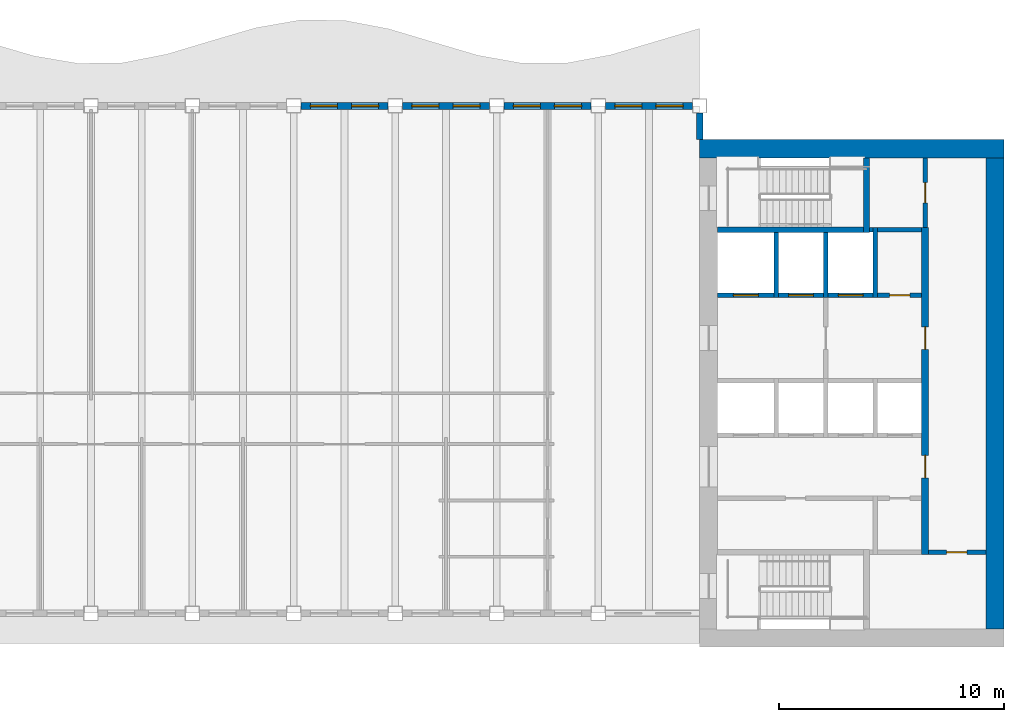
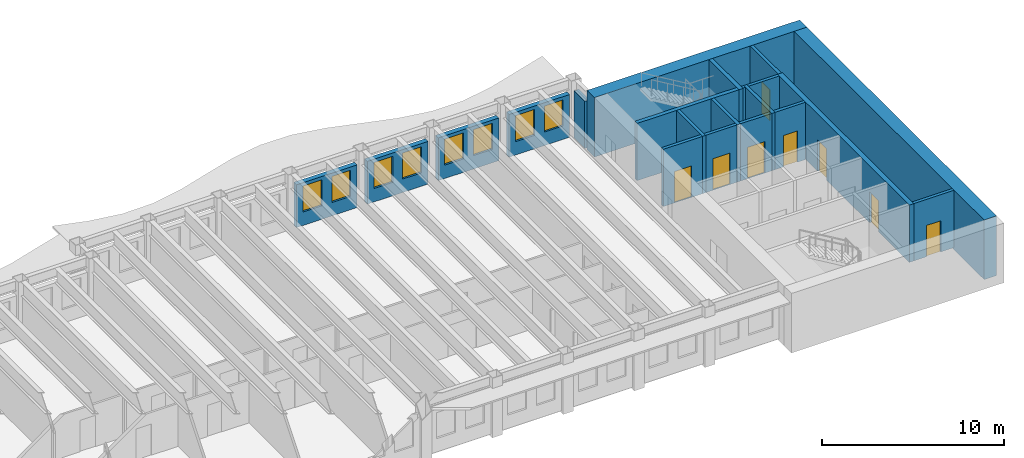
# One storey, part 6 of 12: 21 walls, 8 doors, 8 windows, 16 openings.
"""IFC4 building model written with IfcOpenShell, lengths in metres."""

from ifc_helpers import new_model, si_unit, direction, frame, frame_2d, origin, place, context, subcontext, project, spatial, rectangle, extrude, material, layer, layer_set, type_object, element, fill, save


model = new_model("IFC4")

# Units and contexts
model_context = context("Model", 3, precision=1e-05, world=origin(), true_north=direction((0.0, 1.0)))
body_context = subcontext(model_context, "Body", "Model", "MODEL_VIEW")
ifc_project = project(units=[si_unit("LENGTHUNIT", "METRE"), si_unit("AREAUNIT", "SQUARE_METRE"), si_unit("VOLUMEUNIT", "CUBIC_METRE"), si_unit("PLANEANGLEUNIT", "RADIAN"), si_unit("MASSUNIT", "GRAM", prefix="KILO")], contexts=[model_context])

# Site, building, storey
site_placement = place(None, origin())
site = spatial("IfcSite", under=ifc_project, at=site_placement, CompositionType="ELEMENT")
building_placement = place(site_placement, origin())
building = spatial("IfcBuilding", under=site, at=building_placement, Name="Sennacour Bend Tower", CompositionType="ELEMENT")
storey_placement = place(building_placement, frame((0.0, 0.0, 289.0)))
storey = spatial("IfcBuildingStorey", under=building, at=storey_placement, Name="L67", CompositionType="ELEMENT", Elevation=289.0)

# Walls
ifc_material_1 = material(Name="Concrete C50/60", Category="concrete")
ifc_layer_1 = layer(ifc_material_1, 0.800048828125, Name="Concrete C50/60", Category="concrete")
ifc_layer_set_1 = layer_set([ifc_layer_1], Name="Concrete C50/60")
wall_type_1 = type_object("IfcWallType", Name="Core wall 800 C50/60", PredefinedType="SHEAR", material=ifc_layer_set_1)
wall_1_placement = place(storey_placement, frame((54.0, 22.10009765625, -0.14990234375), z_axis=(0.0, 0.0, 1.0), x_axis=(1.0, 0.0, 0.0)))
element("IfcWall", 1, at=wall_1_placement, inside=storey, type_object=wall_type_1, Name="Core A wall L67 N", PredefinedType="SHEAR", context=body_context, shape_type="SweptSolid", body=[
    extrude(rectangle(XDim=13.5, YDim=0.800048828125, at=frame_2d((6.75, 0.0))), origin(), (0.0, 0.0, 1.0), 4.0),
])
wall_2_placement = place(storey_placement, frame((67.10009765625, 0.800048828125, -0.14990234375), z_axis=(0.0, 0.0, 1.0), x_axis=(0.0, 1.0, 0.0)))
element("IfcWall", 2, at=wall_2_placement, inside=storey, type_object=wall_type_1, Name="Core A wall L67 E", PredefinedType="SHEAR", context=body_context, shape_type="SweptSolid", body=[
    extrude(rectangle(XDim=20.89990234375, YDim=0.800048828125, at=frame_2d((10.449951171875, 0.0))), origin(), (0.0, 0.0, 1.0), 4.0),
])

# Wall, opening, door
ifc_material_2 = material(Name="Fire-rated plasterboard partition on steel studs", Category="steel")
ifc_layer_2 = layer(ifc_material_2, 0.199951171875, Name="Fire-rated plasterboard partition on steel studs", Category="steel")
ifc_layer_set_2 = layer_set([ifc_layer_2], Name="Fire-rated plasterboard partition on steel studs")
wall_type_2 = type_object("IfcWallType", Name="Rated partition 200", PredefinedType="PARTITIONING", material=ifc_layer_set_2)
wall_3_placement = place(storey_placement, frame((64.0, 18.60009765625, 0.0), z_axis=(0.0, 0.0, 1.0), x_axis=(0.0, 1.0, 0.0)))
wall_3 = element("IfcWall", 3, at=wall_3_placement, inside=storey, type_object=wall_type_2, Name="P-L67-W029", PredefinedType="PARTITIONING", context=body_context, shape_type="SweptSolid", body=[
    extrude(rectangle(XDim=3.099853515625, YDim=0.199951171875, at=frame_2d((1.5498046875, 0.0))), origin(), (0.0, 0.0, 1.0), 3.85009765625),
])
opening_1_placement = place(wall_3_placement, frame((1.099853515625, 0.0, 0.0)))
opening_1 = element("IfcOpeningElement", 4, at=opening_1_placement, cuts=wall_3, Name="Opening SV", PredefinedType="OPENING", context=body_context, shape_type="SweptSolid", body=[
    extrude(rectangle(XDim=0.89990234375, YDim=2.10009765625, at=frame_2d((0.449951171875, 1.050048828125))), frame((0.0, 0.10986328125, 0.0), z_axis=(0.0, -1.0, 0.0), x_axis=(1.0, 0.0, 0.0)), (0.0, 0.0, 1.0), 0.219970703125),
])
ifc_material_3 = material(Name="Painted steel", Category="steel")
door_type_1 = type_object("IfcDoorType", Name="DR-SERVICE-900", OperationType="NOTDEFINED", PredefinedType="DOOR", material=ifc_material_3)
door_1_placement = place(opening_1_placement, origin())
door_1 = element("IfcDoor", 5, at=door_1_placement, inside=storey, type_object=door_type_1, Name="Door", OperationType="SINGLE_SWING_LEFT", OverallHeight=2.10009765625, OverallWidth=0.89990234375, PredefinedType="DOOR", context=body_context, shape_type="SweptSolid", body=[
    extrude(rectangle(XDim=0.89990234375, YDim=2.10009765625, at=frame_2d((0.449951171875, 1.050048828125))), frame((0.0, 0.02490234375, 0.0), z_axis=(0.0, -1.0, 0.0), x_axis=(1.0, 0.0, 0.0)), (0.0, 0.0, 1.0), 0.050048828125),
])
fill(opening_1, door_1)

wall_4_placement = place(storey_placement, frame((64.14990234375, 4.199951171875, 0.0), z_axis=(0.0, 0.0, 1.0), x_axis=(1.0, 0.0, 0.0)))
wall_4 = element("IfcWall", 6, at=wall_4_placement, inside=storey, type_object=wall_type_2, Name="P-L67-W038c", PredefinedType="PARTITIONING", context=body_context, shape_type="SweptSolid", body=[
    extrude(rectangle(XDim=2.550048828125, YDim=0.199951171875, at=frame_2d((1.27490234375, 0.0))), origin(), (0.0, 0.0, 1.0), 3.85009765625),
])
opening_2_placement = place(wall_4_placement, frame((0.800048828125, 0.0, 0.0)))
opening_2 = element("IfcOpeningElement", 7, at=opening_2_placement, cuts=wall_4, Name="Opening SV", PredefinedType="OPENING", context=body_context, shape_type="SweptSolid", body=[
    extrude(rectangle(XDim=0.89990234375, YDim=2.10009765625, at=frame_2d((0.449951171875, 1.050048828125))), frame((0.0, 0.10986328125, 0.0), z_axis=(0.0, -1.0, 0.0), x_axis=(1.0, 0.0, 0.0)), (0.0, 0.0, 1.0), 0.219970703125),
])
door_2_placement = place(opening_2_placement, origin())
door_2 = element("IfcDoor", 8, at=door_2_placement, inside=storey, type_object=door_type_1, Name="Door", OperationType="SINGLE_SWING_LEFT", OverallHeight=2.10009765625, OverallWidth=0.89990234375, PredefinedType="DOOR", context=body_context, shape_type="SweptSolid", body=[
    extrude(rectangle(XDim=0.89990234375, YDim=2.10009765625, at=frame_2d((0.449951171875, 1.050048828125))), frame((0.0, 0.02490234375, 0.0), z_axis=(0.0, -1.0, 0.0), x_axis=(1.0, 0.0, 0.0)), (0.0, 0.0, 1.0), 0.050048828125),
])
fill(opening_2, door_2)

wall_5_placement = place(storey_placement, frame((61.89990234375, 15.60009765625, 0.0), z_axis=(0.0, 0.0, 1.0), x_axis=(1.0, 0.0, 0.0)))
wall_5 = element("IfcWall", 9, at=wall_5_placement, inside=storey, type_object=wall_type_2, Name="P-L67-W046", PredefinedType="PARTITIONING", context=body_context, shape_type="SweptSolid", body=[
    extrude(rectangle(XDim=1.9501953125, YDim=0.199951171875, at=frame_2d((0.97509765625, 0.0))), origin(), (0.0, 0.0, 1.0), 3.85009765625),
])
opening_3_placement = place(wall_5_placement, frame((0.525146484375, 0.0, 0.0)))
opening_3 = element("IfcOpeningElement", 10, at=opening_3_placement, cuts=wall_5, Name="Opening SV", PredefinedType="OPENING", context=body_context, shape_type="SweptSolid", body=[
    extrude(rectangle(XDim=0.89990234375, YDim=2.10009765625, at=frame_2d((0.449951171875, 1.050048828125))), frame((0.0, 0.10986328125, 0.0), z_axis=(0.0, -1.0, 0.0), x_axis=(1.0, 0.0, 0.0)), (0.0, 0.0, 1.0), 0.219970703125),
])
door_3_placement = place(opening_3_placement, origin())
door_3 = element("IfcDoor", 11, at=door_3_placement, inside=storey, type_object=door_type_1, Name="Door", OperationType="SINGLE_SWING_LEFT", OverallHeight=2.10009765625, OverallWidth=0.89990234375, PredefinedType="DOOR", context=body_context, shape_type="SweptSolid", body=[
    extrude(rectangle(XDim=0.89990234375, YDim=2.10009765625, at=frame_2d((0.449951171875, 1.050048828125))), frame((0.0, 0.02490234375, 0.0), z_axis=(0.0, -1.0, 0.0), x_axis=(1.0, 0.0, 0.0)), (0.0, 0.0, 1.0), 0.050048828125),
])
fill(opening_3, door_3)

# Walls
wall_6_placement = place(storey_placement, frame((61.89990234375, 18.5, 0.0), z_axis=(0.0, 0.0, 1.0), x_axis=(1.0, 0.0, 0.0)))
element("IfcWall", 12, at=wall_6_placement, inside=storey, type_object=wall_type_2, Name="P-L67-W049", PredefinedType="PARTITIONING", context=body_context, shape_type="SweptSolid", body=[
    extrude(rectangle(XDim=1.9501953125, YDim=0.199951171875, at=frame_2d((0.97509765625, 0.0))), origin(), (0.0, 0.0, 1.0), 3.85009765625),
])
ifc_material_4 = material(Name="Warm limestone cladding", Category="masonry")
ifc_layer_3 = layer(ifc_material_4, 0.050048828125, Name="Warm limestone cladding", Category="masonry")
ifc_material_5 = material(Name="Precast concrete C40/50", Category="concrete")
ifc_layer_4 = layer(ifc_material_5, 0.25, Name="Precast concrete C40/50", Category="concrete")
ifc_layer_set_3 = layer_set([ifc_layer_3, ifc_layer_4], Name="Precast concrete C40/50 with limestone cladding")
wall_type_3 = type_object("IfcWallType", Name="STONE-CLAD PRECAST SPANDREL 300", PredefinedType="STANDARD", material=ifc_layer_set_3)
wall_7_placement = place(storey_placement, frame((54.0, 22.5, 0.0), z_axis=(0.0, 0.0, 1.0), x_axis=(0.0, 1.0, 0.0)))
element("IfcWall", 13, at=wall_7_placement, inside=storey, type_object=wall_type_3, Name="Stone spandrel and pier wall L67 06.00", PredefinedType="STANDARD", context=body_context, shape_type="SweptSolid", body=[
    extrude(rectangle(XDim=1.175048828125, YDim=0.300048828125, at=frame_2d((0.58740234375, 0.0))), origin(), (0.0, 0.0, 1.0), 3.162109375),
])

# Wall, openings, windows
wall_8_placement = place(storey_placement, frame((53.675048828125, 24.0, 0.0), z_axis=(0.0, 0.0, 1.0), x_axis=(-1.0, 0.0, 0.0)))
wall_8 = element("IfcWall", 14, at=wall_8_placement, inside=storey, type_object=wall_type_3, Name="Stone spandrel and pier wall L67 07.00", PredefinedType="STANDARD", context=body_context, shape_type="SweptSolid", body=[
    extrude(rectangle(XDim=3.85009765625, YDim=0.300048828125, at=frame_2d((1.925048828125, 0.0))), origin(), (0.0, 0.0, 1.0), 2.8701171875),
])
opening_4_placement = place(wall_8_placement, frame((0.41259765625, 0.0, 0.89990234375)))
opening_4 = element("IfcOpeningElement", 15, at=opening_4_placement, cuts=wall_8, Name="Opening W16", PredefinedType="OPENING", context=body_context, shape_type="SweptSolid", body=[
    extrude(rectangle(XDim=1.199951171875, YDim=1.75, at=frame_2d((0.60009765625, 0.875))), frame((0.0, 0.16015625, 0.0), z_axis=(0.0, -1.0, 0.0), x_axis=(1.0, 0.0, 0.0)), (0.0, 0.0, 1.0), 0.320068359375),
])
opening_5_placement = place(wall_8_placement, frame((2.237548828125, 0.0, 0.89990234375)))
opening_5 = element("IfcOpeningElement", 16, at=opening_5_placement, cuts=wall_8, Name="Opening W16", PredefinedType="OPENING", context=body_context, shape_type="SweptSolid", body=[
    extrude(rectangle(XDim=1.199951171875, YDim=1.75, at=frame_2d((0.60009765625, 0.875))), frame((0.0, 0.16015625, 0.0), z_axis=(0.0, -1.0, 0.0), x_axis=(1.0, 0.0, 0.0)), (0.0, 0.0, 1.0), 0.320068359375),
])
ifc_material_6 = material(Name="Clear low-emissivity glass", Category="glass")
window_type = type_object("IfcWindowType", Name="WIN-RIBBON-1200x1750", PartitioningType="SINGLE_PANEL", PredefinedType="WINDOW", material=ifc_material_6)
window_1_placement = place(opening_4_placement, origin())
window_1 = element("IfcWindow", 17, at=window_1_placement, inside=storey, type_object=window_type, Name="Ribbon window L67 07.00.0", OverallHeight=1.75, OverallWidth=1.199951171875, PartitioningType="SINGLE_PANEL", PredefinedType="WINDOW", context=body_context, shape_type="SweptSolid", body=[
    extrude(rectangle(XDim=1.199951171875, YDim=1.75, at=frame_2d((0.60009765625, 0.875))), frame((0.0, 0.030029296875, 0.0), z_axis=(0.0, -1.0, 0.0), x_axis=(1.0, 0.0, 0.0)), (0.0, 0.0, 1.0), 0.06005859375),
])
fill(opening_4, window_1)
window_2_placement = place(opening_5_placement, origin())
window_2 = element("IfcWindow", 18, at=window_2_placement, inside=storey, type_object=window_type, Name="Ribbon window L67 07.00.1", OverallHeight=1.75, OverallWidth=1.199951171875, PartitioningType="SINGLE_PANEL", PredefinedType="WINDOW", context=body_context, shape_type="SweptSolid", body=[
    extrude(rectangle(XDim=1.199951171875, YDim=1.75, at=frame_2d((0.60009765625, 0.875))), frame((0.0, 0.030029296875, 0.0), z_axis=(0.0, -1.0, 0.0), x_axis=(1.0, 0.0, 0.0)), (0.0, 0.0, 1.0), 0.06005859375),
])
fill(opening_5, window_2)

wall_9_placement = place(storey_placement, frame((49.175048828125, 24.0, 0.0), z_axis=(0.0, 0.0, 1.0), x_axis=(-1.0, 0.0, 0.0)))
wall_9 = element("IfcWall", 19, at=wall_9_placement, inside=storey, type_object=wall_type_3, Name="Stone spandrel and pier wall L67 07.01", PredefinedType="STANDARD", context=body_context, shape_type="SweptSolid", body=[
    extrude(rectangle(XDim=3.85009765625, YDim=0.300048828125, at=frame_2d((1.925048828125, 0.0))), origin(), (0.0, 0.0, 1.0), 2.8701171875),
])
opening_6_placement = place(wall_9_placement, frame((0.41259765625, 0.0, 0.89990234375)))
opening_6 = element("IfcOpeningElement", 20, at=opening_6_placement, cuts=wall_9, Name="Opening W16", PredefinedType="OPENING", context=body_context, shape_type="SweptSolid", body=[
    extrude(rectangle(XDim=1.199951171875, YDim=1.75, at=frame_2d((0.60009765625, 0.875))), frame((0.0, 0.16015625, 0.0), z_axis=(0.0, -1.0, 0.0), x_axis=(1.0, 0.0, 0.0)), (0.0, 0.0, 1.0), 0.320068359375),
])
opening_7_placement = place(wall_9_placement, frame((2.237548828125, 0.0, 0.89990234375)))
opening_7 = element("IfcOpeningElement", 21, at=opening_7_placement, cuts=wall_9, Name="Opening W16", PredefinedType="OPENING", context=body_context, shape_type="SweptSolid", body=[
    extrude(rectangle(XDim=1.199951171875, YDim=1.75, at=frame_2d((0.60009765625, 0.875))), frame((0.0, 0.16015625, 0.0), z_axis=(0.0, -1.0, 0.0), x_axis=(1.0, 0.0, 0.0)), (0.0, 0.0, 1.0), 0.320068359375),
])
window_3_placement = place(opening_6_placement, origin())
window_3 = element("IfcWindow", 22, at=window_3_placement, inside=storey, type_object=window_type, Name="Ribbon window L67 07.01.0", OverallHeight=1.75, OverallWidth=1.199951171875, PartitioningType="SINGLE_PANEL", PredefinedType="WINDOW", context=body_context, shape_type="SweptSolid", body=[
    extrude(rectangle(XDim=1.199951171875, YDim=1.75, at=frame_2d((0.60009765625, 0.875))), frame((0.0, 0.030029296875, 0.0), z_axis=(0.0, -1.0, 0.0), x_axis=(1.0, 0.0, 0.0)), (0.0, 0.0, 1.0), 0.06005859375),
])
fill(opening_6, window_3)
window_4_placement = place(opening_7_placement, origin())
window_4 = element("IfcWindow", 23, at=window_4_placement, inside=storey, type_object=window_type, Name="Ribbon window L67 07.01.1", OverallHeight=1.75, OverallWidth=1.199951171875, PartitioningType="SINGLE_PANEL", PredefinedType="WINDOW", context=body_context, shape_type="SweptSolid", body=[
    extrude(rectangle(XDim=1.199951171875, YDim=1.75, at=frame_2d((0.60009765625, 0.875))), frame((0.0, 0.030029296875, 0.0), z_axis=(0.0, -1.0, 0.0), x_axis=(1.0, 0.0, 0.0)), (0.0, 0.0, 1.0), 0.06005859375),
])
fill(opening_7, window_4)

wall_10_placement = place(storey_placement, frame((44.675048828125, 24.0, 0.0), z_axis=(0.0, 0.0, 1.0), x_axis=(-1.0, 0.0, 0.0)))
wall_10 = element("IfcWall", 24, at=wall_10_placement, inside=storey, type_object=wall_type_3, Name="Stone spandrel and pier wall L67 07.02", PredefinedType="STANDARD", context=body_context, shape_type="SweptSolid", body=[
    extrude(rectangle(XDim=3.85009765625, YDim=0.300048828125, at=frame_2d((1.925048828125, 0.0))), origin(), (0.0, 0.0, 1.0), 2.8701171875),
])
opening_8_placement = place(wall_10_placement, frame((0.41259765625, 0.0, 0.89990234375)))
opening_8 = element("IfcOpeningElement", 25, at=opening_8_placement, cuts=wall_10, Name="Opening W16", PredefinedType="OPENING", context=body_context, shape_type="SweptSolid", body=[
    extrude(rectangle(XDim=1.199951171875, YDim=1.75, at=frame_2d((0.60009765625, 0.875))), frame((0.0, 0.16015625, 0.0), z_axis=(0.0, -1.0, 0.0), x_axis=(1.0, 0.0, 0.0)), (0.0, 0.0, 1.0), 0.320068359375),
])
opening_9_placement = place(wall_10_placement, frame((2.237548828125, 0.0, 0.89990234375)))
opening_9 = element("IfcOpeningElement", 26, at=opening_9_placement, cuts=wall_10, Name="Opening W16", PredefinedType="OPENING", context=body_context, shape_type="SweptSolid", body=[
    extrude(rectangle(XDim=1.199951171875, YDim=1.75, at=frame_2d((0.60009765625, 0.875))), frame((0.0, 0.16015625, 0.0), z_axis=(0.0, -1.0, 0.0), x_axis=(1.0, 0.0, 0.0)), (0.0, 0.0, 1.0), 0.320068359375),
])
window_5_placement = place(opening_8_placement, origin())
window_5 = element("IfcWindow", 27, at=window_5_placement, inside=storey, type_object=window_type, Name="Ribbon window L67 07.02.0", OverallHeight=1.75, OverallWidth=1.199951171875, PartitioningType="SINGLE_PANEL", PredefinedType="WINDOW", context=body_context, shape_type="SweptSolid", body=[
    extrude(rectangle(XDim=1.199951171875, YDim=1.75, at=frame_2d((0.60009765625, 0.875))), frame((0.0, 0.030029296875, 0.0), z_axis=(0.0, -1.0, 0.0), x_axis=(1.0, 0.0, 0.0)), (0.0, 0.0, 1.0), 0.06005859375),
])
fill(opening_8, window_5)
window_6_placement = place(opening_9_placement, origin())
window_6 = element("IfcWindow", 28, at=window_6_placement, inside=storey, type_object=window_type, Name="Ribbon window L67 07.02.1", OverallHeight=1.75, OverallWidth=1.199951171875, PartitioningType="SINGLE_PANEL", PredefinedType="WINDOW", context=body_context, shape_type="SweptSolid", body=[
    extrude(rectangle(XDim=1.199951171875, YDim=1.75, at=frame_2d((0.60009765625, 0.875))), frame((0.0, 0.030029296875, 0.0), z_axis=(0.0, -1.0, 0.0), x_axis=(1.0, 0.0, 0.0)), (0.0, 0.0, 1.0), 0.06005859375),
])
fill(opening_9, window_6)

wall_11_placement = place(storey_placement, frame((40.175048828125, 24.0, 0.0), z_axis=(0.0, 0.0, 1.0), x_axis=(-1.0, 0.0, 0.0)))
wall_11 = element("IfcWall", 29, at=wall_11_placement, inside=storey, type_object=wall_type_3, Name="Stone spandrel and pier wall L67 07.03", PredefinedType="STANDARD", context=body_context, shape_type="SweptSolid", body=[
    extrude(rectangle(XDim=3.85009765625, YDim=0.300048828125, at=frame_2d((1.925048828125, 0.0))), origin(), (0.0, 0.0, 1.0), 2.8701171875),
])
opening_10_placement = place(wall_11_placement, frame((0.41259765625, 0.0, 0.89990234375)))
opening_10 = element("IfcOpeningElement", 30, at=opening_10_placement, cuts=wall_11, Name="Opening W16", PredefinedType="OPENING", context=body_context, shape_type="SweptSolid", body=[
    extrude(rectangle(XDim=1.199951171875, YDim=1.75, at=frame_2d((0.60009765625, 0.875))), frame((0.0, 0.16015625, 0.0), z_axis=(0.0, -1.0, 0.0), x_axis=(1.0, 0.0, 0.0)), (0.0, 0.0, 1.0), 0.320068359375),
])
opening_11_placement = place(wall_11_placement, frame((2.237548828125, 0.0, 0.89990234375)))
opening_11 = element("IfcOpeningElement", 31, at=opening_11_placement, cuts=wall_11, Name="Opening W16", PredefinedType="OPENING", context=body_context, shape_type="SweptSolid", body=[
    extrude(rectangle(XDim=1.199951171875, YDim=1.75, at=frame_2d((0.60009765625, 0.875))), frame((0.0, 0.16015625, 0.0), z_axis=(0.0, -1.0, 0.0), x_axis=(1.0, 0.0, 0.0)), (0.0, 0.0, 1.0), 0.320068359375),
])
window_7_placement = place(opening_10_placement, origin())
window_7 = element("IfcWindow", 32, at=window_7_placement, inside=storey, type_object=window_type, Name="Ribbon window L67 07.03.0", OverallHeight=1.75, OverallWidth=1.199951171875, PartitioningType="SINGLE_PANEL", PredefinedType="WINDOW", context=body_context, shape_type="SweptSolid", body=[
    extrude(rectangle(XDim=1.199951171875, YDim=1.75, at=frame_2d((0.60009765625, 0.875))), frame((0.0, 0.030029296875, 0.0), z_axis=(0.0, -1.0, 0.0), x_axis=(1.0, 0.0, 0.0)), (0.0, 0.0, 1.0), 0.06005859375),
])
fill(opening_10, window_7)
window_8_placement = place(opening_11_placement, origin())
window_8 = element("IfcWindow", 33, at=window_8_placement, inside=storey, type_object=window_type, Name="Ribbon window L67 07.03.1", OverallHeight=1.75, OverallWidth=1.199951171875, PartitioningType="SINGLE_PANEL", PredefinedType="WINDOW", context=body_context, shape_type="SweptSolid", body=[
    extrude(rectangle(XDim=1.199951171875, YDim=1.75, at=frame_2d((0.60009765625, 0.875))), frame((0.0, 0.030029296875, 0.0), z_axis=(0.0, -1.0, 0.0), x_axis=(1.0, 0.0, 0.0)), (0.0, 0.0, 1.0), 0.06005859375),
])
fill(opening_11, window_8)

# Walls
ifc_layer_5 = layer(ifc_material_1, 0.199951171875, Name="Concrete C50/60", Category="concrete")
ifc_layer_set_4 = layer_set([ifc_layer_5], Name="Concrete C50/60")
wall_type_4 = type_object("IfcWallType", Name="Shaft wall 200", PredefinedType="SOLIDWALL", material=ifc_layer_set_4)
for number, where, z_axis, x_axis, name in (
    (34, (57.39990234375, 15.5, 0.0), (0.0, 0.0, 1.0), (0.0, 1.0, 0.0), "P-L67-W019"),
    (35, (59.60009765625, 15.5, 0.0), (0.0, 0.0, 1.0), (0.0, 1.0, 0.0), "P-L67-W022"),
):
    element("IfcWall", number, at=place(storey_placement, frame(where, z_axis=z_axis, x_axis=x_axis)), inside=storey, type_object=wall_type_4, Name=name, PredefinedType="SOLIDWALL", context=body_context, shape_type="SweptSolid", body=[
        extrude(rectangle(XDim=2.875, YDim=0.199951171875, at=frame_2d((1.4375, 0.0))), origin(), (0.0, 0.0, 1.0), 3.85009765625),
    ])
wall_12_placement = place(storey_placement, frame((61.800048828125, 15.5, 0.0), z_axis=(0.0, 0.0, 1.0), x_axis=(0.0, 1.0, 0.0)))
element("IfcWall", 36, at=wall_12_placement, inside=storey, type_object=wall_type_4, Name="P-L67-W027", PredefinedType="SOLIDWALL", context=body_context, shape_type="SweptSolid", body=[
    extrude(rectangle(XDim=3.10009765625, YDim=0.199951171875, at=frame_2d((1.550048828125, 0.0))), origin(), (0.0, 0.0, 1.0), 3.85009765625),
])

# Wall, opening, door
wall_13_placement = place(storey_placement, frame((54.800048828125, 15.60009765625, 0.0), z_axis=(0.0, 0.0, 1.0), x_axis=(1.0, 0.0, 0.0)))
wall_13 = element("IfcWall", 37, at=wall_13_placement, inside=storey, type_object=wall_type_4, Name="P-L67-W045a", PredefinedType="SOLIDWALL", context=body_context, shape_type="SweptSolid", body=[
    extrude(rectangle(XDim=2.5, YDim=0.199951171875, at=frame_2d((1.25, 0.0))), origin(), (0.0, 0.0, 1.0), 3.85009765625),
])
opening_12_placement = place(wall_13_placement, frame((0.699951171875, 0.0, 0.011962890625)))
opening_12 = element("IfcOpeningElement", 38, at=opening_12_placement, cuts=wall_13, Name="Opening FLD", PredefinedType="OPENING", context=body_context, shape_type="SweptSolid", body=[
    extrude(rectangle(XDim=1.10009765625, YDim=2.10009765625, at=frame_2d((0.550048828125, 1.050048828125))), frame((0.0, 0.10986328125, 0.0), z_axis=(0.0, -1.0, 0.0), x_axis=(1.0, 0.0, 0.0)), (0.0, 0.0, 1.0), 0.219970703125),
])
ifc_material_7 = material(Name="Stainless steel", Category="steel")
door_type_2 = type_object("IfcDoorType", Name="DR-FF-LANDING-1100", OperationType="NOTDEFINED", PredefinedType="DOOR", material=ifc_material_7)
door_4_placement = place(opening_12_placement, origin())
door_4 = element("IfcDoor", 39, at=door_4_placement, inside=storey, type_object=door_type_2, Name="Fire service lift landing door FA1", OperationType="SLIDING_TO_LEFT", OverallHeight=2.10009765625, OverallWidth=1.10009765625, PredefinedType="DOOR", context=body_context, shape_type="SweptSolid", body=[
    extrude(rectangle(XDim=1.10009765625, YDim=2.10009765625, at=frame_2d((0.550048828125, 1.050048828125))), frame((0.0, 0.02490234375, 0.0), z_axis=(0.0, -1.0, 0.0), x_axis=(1.0, 0.0, 0.0)), (0.0, 0.0, 1.0), 0.050048828125),
])
fill(opening_12, door_4)

wall_14_placement = place(storey_placement, frame((57.5, 15.60009765625, 0.0), z_axis=(0.0, 0.0, 1.0), x_axis=(1.0, 0.0, 0.0)))
wall_14 = element("IfcWall", 40, at=wall_14_placement, inside=storey, type_object=wall_type_4, Name="P-L67-W045b", PredefinedType="SOLIDWALL", context=body_context, shape_type="SweptSolid", body=[
    extrude(rectangle(XDim=2.0, YDim=0.199951171875, at=frame_2d((1.0, 0.0))), origin(), (0.0, 0.0, 1.0), 3.85009765625),
])
opening_13_placement = place(wall_14_placement, frame((0.449951171875, 0.0, 0.011962890625)))
opening_13 = element("IfcOpeningElement", 41, at=opening_13_placement, cuts=wall_14, Name="Opening FLD", PredefinedType="OPENING", context=body_context, shape_type="SweptSolid", body=[
    extrude(rectangle(XDim=1.10009765625, YDim=2.10009765625, at=frame_2d((0.550048828125, 1.050048828125))), frame((0.0, 0.10986328125, 0.0), z_axis=(0.0, -1.0, 0.0), x_axis=(1.0, 0.0, 0.0)), (0.0, 0.0, 1.0), 0.219970703125),
])
door_5_placement = place(opening_13_placement, origin())
door_5 = element("IfcDoor", 42, at=door_5_placement, inside=storey, type_object=door_type_2, Name="Fire service lift landing door FA2", OperationType="SLIDING_TO_RIGHT", OverallHeight=2.10009765625, OverallWidth=1.10009765625, PredefinedType="DOOR", context=body_context, shape_type="SweptSolid", body=[
    extrude(rectangle(XDim=1.10009765625, YDim=2.10009765625, at=frame_2d((0.550048828125, 1.050048828125))), frame((0.0, 0.02490234375, 0.0), z_axis=(0.0, -1.0, 0.0), x_axis=(1.0, 0.0, 0.0)), (0.0, 0.0, 1.0), 0.050048828125),
])
fill(opening_13, door_5)

wall_15_placement = place(storey_placement, frame((59.699951171875, 15.60009765625, 0.0), z_axis=(0.0, 0.0, 1.0), x_axis=(1.0, 0.0, 0.0)))
wall_15 = element("IfcWall", 43, at=wall_15_placement, inside=storey, type_object=wall_type_4, Name="P-L67-W045c", PredefinedType="SOLIDWALL", context=body_context, shape_type="SweptSolid", body=[
    extrude(rectangle(XDim=2.0, YDim=0.199951171875, at=frame_2d((1.0, 0.0))), origin(), (0.0, 0.0, 1.0), 3.85009765625),
])
opening_14_placement = place(wall_15_placement, frame((0.449951171875, 0.0, 0.011962890625)))
opening_14 = element("IfcOpeningElement", 44, at=opening_14_placement, cuts=wall_15, Name="Opening LD", PredefinedType="OPENING", context=body_context, shape_type="SweptSolid", body=[
    extrude(rectangle(XDim=1.10009765625, YDim=2.10009765625, at=frame_2d((0.550048828125, 1.050048828125))), frame((0.0, 0.10986328125, 0.0), z_axis=(0.0, -1.0, 0.0), x_axis=(1.0, 0.0, 0.0)), (0.0, 0.0, 1.0), 0.219970703125),
])
door_type_3 = type_object("IfcDoorType", Name="DR-LANDING-1100", OperationType="NOTDEFINED", PredefinedType="DOOR", material=ifc_material_7)
door_6_placement = place(opening_14_placement, origin())
door_6 = element("IfcDoor", 45, at=door_6_placement, inside=storey, type_object=door_type_3, Name="Lift landing door HA5", OperationType="SLIDING_TO_LEFT", OverallHeight=2.10009765625, OverallWidth=1.10009765625, PredefinedType="DOOR", context=body_context, shape_type="SweptSolid", body=[
    extrude(rectangle(XDim=1.10009765625, YDim=2.10009765625, at=frame_2d((0.550048828125, 1.050048828125))), frame((0.0, 0.02490234375, 0.0), z_axis=(0.0, -1.0, 0.0), x_axis=(1.0, 0.0, 0.0)), (0.0, 0.0, 1.0), 0.050048828125),
])
fill(opening_14, door_6)

# Wall
wall_16_placement = place(storey_placement, frame((61.52490234375, 18.5, 0.0), z_axis=(0.0, 0.0, 1.0), x_axis=(1.0, 0.0, 0.0)))
element("IfcWall", 46, at=wall_16_placement, inside=storey, type_object=wall_type_4, Name="P-L67-W048", PredefinedType="SOLIDWALL", context=body_context, shape_type="SweptSolid", body=[
    extrude(rectangle(XDim=0.175048828125, YDim=0.199951171875, at=frame_2d((0.08740234375, 0.0))), origin(), (0.0, 0.0, 1.0), 3.85009765625),
])

# Wall, openings, doors
ifc_material_8 = material(Name="Concrete C60/75", Category="concrete")
ifc_layer_6 = layer(ifc_material_8, 0.300048828125, Name="Concrete C60/75", Category="concrete")
ifc_layer_set_5 = layer_set([ifc_layer_6], Name="Concrete C60/75")
wall_type_5 = type_object("IfcWallType", Name="Spine wall 300", PredefinedType="SHEAR", material=ifc_layer_set_5)
wall_17_placement = place(storey_placement, frame((64.0, 4.10009765625, 0.0), z_axis=(0.0, 0.0, 1.0), x_axis=(0.0, 1.0, 0.0)))
wall_17 = element("IfcWall", 47, at=wall_17_placement, inside=storey, type_object=wall_type_5, Name="P-L67-W028", PredefinedType="SHEAR", context=body_context, shape_type="SweptSolid", body=[
    extrude(rectangle(XDim=14.5, YDim=0.300048828125, at=frame_2d((7.25, 0.0))), origin(), (0.0, 0.0, 1.0), 3.85009765625),
])
opening_15_placement = place(wall_17_placement, frame((3.39990234375, 0.0, 0.0)))
opening_15 = element("IfcOpeningElement", 48, at=opening_15_placement, cuts=wall_17, Name="Opening CD2", PredefinedType="OPENING", context=body_context, shape_type="SweptSolid", body=[
    extrude(rectangle(XDim=1.0, YDim=2.10009765625, at=frame_2d((0.5, 1.050048828125))), frame((0.0, 0.16015625, 0.0), z_axis=(0.0, -1.0, 0.0), x_axis=(1.0, 0.0, 0.0)), (0.0, 0.0, 1.0), 0.320068359375),
])
opening_16_placement = place(wall_17_placement, frame((9.099853515625, 0.0, 0.0)))
opening_16 = element("IfcOpeningElement", 49, at=opening_16_placement, cuts=wall_17, Name="Opening CD2", PredefinedType="OPENING", context=body_context, shape_type="SweptSolid", body=[
    extrude(rectangle(XDim=1.0, YDim=2.10009765625, at=frame_2d((0.5, 1.050048828125))), frame((0.0, 0.16015625, 0.0), z_axis=(0.0, -1.0, 0.0), x_axis=(1.0, 0.0, 0.0)), (0.0, 0.0, 1.0), 0.320068359375),
])
door_type_4 = type_object("IfcDoorType", Name="DR-LOBBY-1000", OperationType="NOTDEFINED", PredefinedType="DOOR", material=ifc_material_3)
door_7_placement = place(opening_15_placement, origin())
door_7 = element("IfcDoor", 50, at=door_7_placement, inside=storey, type_object=door_type_4, Name="Door", OperationType="SINGLE_SWING_LEFT", OverallHeight=2.10009765625, OverallWidth=1.0, PredefinedType="DOOR", context=body_context, shape_type="SweptSolid", body=[
    extrude(rectangle(XDim=1.0, YDim=2.10009765625, at=frame_2d((0.5, 1.050048828125))), frame((0.0, 0.02490234375, 0.0), z_axis=(0.0, -1.0, 0.0), x_axis=(1.0, 0.0, 0.0)), (0.0, 0.0, 1.0), 0.050048828125),
])
fill(opening_15, door_7)
door_8_placement = place(opening_16_placement, origin())
door_8 = element("IfcDoor", 51, at=door_8_placement, inside=storey, type_object=door_type_4, Name="Door", OperationType="SINGLE_SWING_RIGHT", OverallHeight=2.10009765625, OverallWidth=1.0, PredefinedType="DOOR", context=body_context, shape_type="SweptSolid", body=[
    extrude(rectangle(XDim=1.0, YDim=2.10009765625, at=frame_2d((0.5, 1.050048828125))), frame((0.0, 0.02490234375, 0.0), z_axis=(0.0, -1.0, 0.0), x_axis=(1.0, 0.0, 0.0)), (0.0, 0.0, 1.0), 0.050048828125),
])
fill(opening_16, door_8)

# Walls
ifc_layer_7 = layer(ifc_material_8, 0.25, Name="Concrete C60/75", Category="concrete")
ifc_layer_set_6 = layer_set([ifc_layer_7], Name="Concrete C60/75")
wall_type_6 = type_object("IfcWallType", Name="Stair wall 250", PredefinedType="SHEAR", material=ifc_layer_set_6)
wall_18_placement = place(storey_placement, frame((61.39990234375, 18.375, 0.0), z_axis=(0.0, 0.0, 1.0), x_axis=(0.0, 1.0, 0.0)))
element("IfcWall", 52, at=wall_18_placement, inside=storey, type_object=wall_type_6, Name="P-L67-W024", PredefinedType="SHEAR", context=body_context, shape_type="SweptSolid", body=[
    extrude(rectangle(XDim=3.324951171875, YDim=0.25, at=frame_2d((1.66259765625, 0.0))), origin(), (0.0, 0.0, 1.0), 3.85009765625),
])
wall_19_placement = place(storey_placement, frame((54.800048828125, 18.5, 0.0), z_axis=(0.0, 0.0, 1.0), x_axis=(1.0, 0.0, 0.0)))
element("IfcWall", 53, at=wall_19_placement, inside=storey, type_object=wall_type_6, Name="P-L67-W047", PredefinedType="SHEAR", context=body_context, shape_type="SweptSolid", body=[
    extrude(rectangle(XDim=6.474853515625, YDim=0.25, at=frame_2d((3.2373046875, 0.0))), origin(), (0.0, 0.0, 1.0), 3.85009765625),
])

save(model, "model.ifc")
